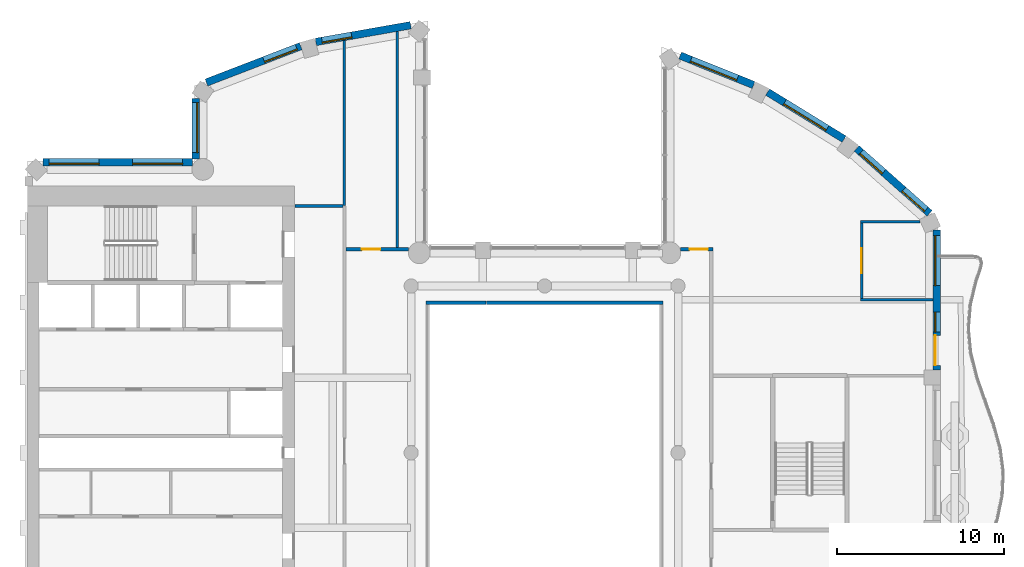
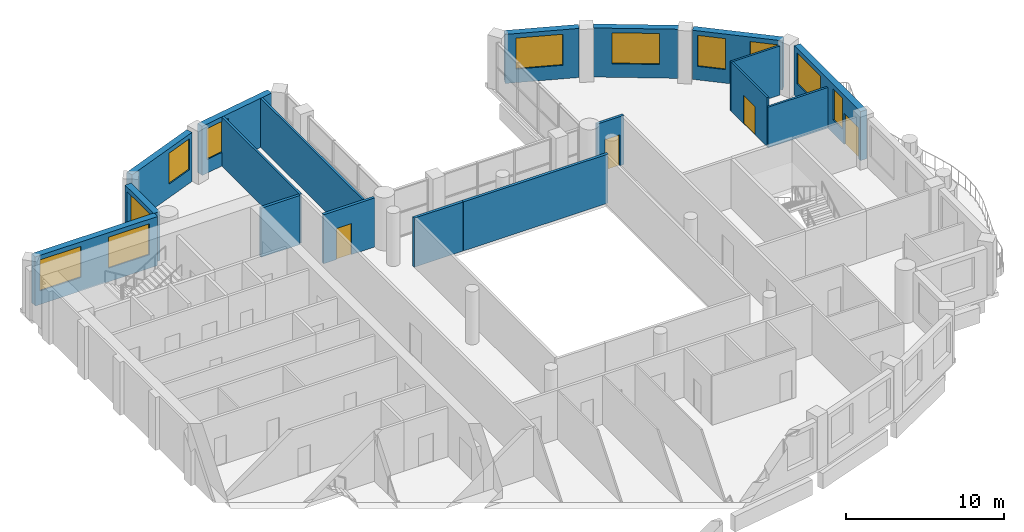
# One storey, part 7 of 14: 18 walls, 11 windows, 4 doors, 15 openings.
"""IFC4 building model written with IfcOpenShell, lengths in metres."""

from ifc_helpers import new_model, si_unit, direction, frame, frame_2d, origin, place, context, subcontext, project, spatial, rectangle, extrude, material, layer, layer_set, type_object, element, fill, save


model = new_model("IFC4")

# Units and contexts
model_context = context("Model", 3, precision=1e-05, world=origin(), true_north=direction((0.0, 1.0)))
body_context = subcontext(model_context, "Body", "Model", "MODEL_VIEW")
ifc_project = project(units=[si_unit("LENGTHUNIT", "METRE"), si_unit("AREAUNIT", "SQUARE_METRE"), si_unit("VOLUMEUNIT", "CUBIC_METRE"), si_unit("PLANEANGLEUNIT", "RADIAN"), si_unit("MASSUNIT", "GRAM", prefix="KILO")], contexts=[model_context])

# Site, building, storey
site_placement = place(None, origin())
site = spatial("IfcSite", under=ifc_project, at=site_placement, CompositionType="ELEMENT")
building_placement = place(site_placement, origin())
building = spatial("IfcBuilding", under=site, at=building_placement, Name="Cypress Arch Tower", CompositionType="ELEMENT")
storey_placement = place(building_placement, frame((0.0, 0.0, 284.39990234375)))
storey = spatial("IfcBuildingStorey", under=building, at=storey_placement, Name="L64", CompositionType="ELEMENT", Elevation=284.39990234375)

# Wall, opening, window
ifc_material_1 = material(Name="Brick (red buff blend)", Category="masonry")
ifc_layer_1 = layer(ifc_material_1, 0.449951171875)
ifc_layer_set_1 = layer_set([ifc_layer_1], Name="Brick pier and spandrel wall BW450")
wall_type_1 = type_object("IfcWallType", Name="Brick pier and spandrel wall BW450", PredefinedType="SOLIDWALL", material=ifc_layer_set_1)
wall_1_placement = place(storey_placement, frame((-7.028564453125, 25.63232421875, 0.0), z_axis=(0.0, 0.0, 1.0), x_axis=(-0.984797606634, -0.173705710808, 0.0)))
wall_1 = element("IfcWall", 1, at=wall_1_placement, inside=storey, type_object=wall_type_1, Name="Brick wall L64 C03.0", PredefinedType="SOLIDWALL", context=body_context, shape_type="SweptSolid", body=[
    extrude(rectangle(XDim=5.772216796875, YDim=0.449951171875, at=frame_2d((2.88623046875, 0.0))), origin(), (0.0, 0.0, 1.0), 3.800048828125),
])
opening_1_placement = place(wall_1_placement, frame((3.59326171875, 0.0, 1.050048828125)))
opening_1 = element("IfcOpeningElement", 2, at=opening_1_placement, cuts=wall_1, Name="Opening W180O", PredefinedType="OPENING", context=body_context, shape_type="SweptSolid", body=[
    extrude(rectangle(XDim=1.800048828125, YDim=2.39990234375, at=frame_2d((0.89990234375, 1.199951171875))), frame((0.0, 0.23486328125, 0.0), z_axis=(0.0, -1.0, 0.0), x_axis=(1.0, 0.0, 0.0)), (0.0, 0.0, 1.0), 0.469970703125),
])
ifc_material_2 = material(Name="Anodised aluminium, bronze finish, clear low-emissivity double glazing", Category="aluminium")
window_type_1 = type_object("IfcWindowType", Name="Window Office 1800x2400", PartitioningType="SINGLE_PANEL", PredefinedType="WINDOW", material=ifc_material_2)
window_1_placement = place(opening_1_placement, origin())
window_1 = element("IfcWindow", 3, at=window_1_placement, inside=storey, type_object=window_type_1, Name="Window L64 C03.0.2", OverallHeight=2.39990234375, OverallWidth=1.800048828125, PartitioningType="SINGLE_PANEL", PredefinedType="WINDOW", context=body_context, shape_type="SweptSolid", body=[
    extrude(rectangle(XDim=1.800048828125, YDim=2.39990234375, at=frame_2d((0.89990234375, 1.199951171875))), frame((0.0, 0.135009765625, 0.0), z_axis=(0.0, -1.0, 0.0), x_axis=(1.0, 0.0, 0.0)), (0.0, 0.0, 1.0), 0.06005859375),
])
fill(opening_1, window_1)

wall_2_placement = place(storey_placement, frame((-13.6220703125, 24.376953125, 0.0), z_axis=(0.0, 0.0, 1.0), x_axis=(-0.933129259679, -0.359541075164, 0.0)))
wall_2 = element("IfcWall", 4, at=wall_2_placement, inside=storey, type_object=wall_type_1, Name="Brick wall L64 C04.0", PredefinedType="SOLIDWALL", context=body_context, shape_type="SweptSolid", body=[
    extrude(rectangle(XDim=6.05419921875, YDim=0.449951171875, at=frame_2d((3.027099609375, 0.0))), origin(), (0.0, 0.0, 1.0), 3.800048828125),
])
opening_2_placement = place(wall_2_placement, frame((0.260986328125, 0.0, 1.050048828125)))
opening_2 = element("IfcOpeningElement", 5, at=opening_2_placement, cuts=wall_2, Name="Opening W210O", PredefinedType="OPENING", context=body_context, shape_type="SweptSolid", body=[
    extrude(rectangle(XDim=2.10009765625, YDim=2.39990234375, at=frame_2d((1.050048828125, 1.199951171875))), frame((0.0, 0.23486328125, 0.0), z_axis=(0.0, -1.0, 0.0), x_axis=(1.0, 0.0, 0.0)), (0.0, 0.0, 1.0), 0.469970703125),
])
ifc_material_3 = material(Name="Anodised aluminium, bronze finish, clear low-emissivity double glazing", Category="aluminium")
window_type_2 = type_object("IfcWindowType", Name="Window Office 2100x2400", PartitioningType="SINGLE_PANEL", PredefinedType="WINDOW", material=ifc_material_3)
window_2_placement = place(opening_2_placement, origin())
window_2 = element("IfcWindow", 6, at=window_2_placement, inside=storey, type_object=window_type_2, Name="Window L64 C04.0.1", OverallHeight=2.39990234375, OverallWidth=2.10009765625, PartitioningType="SINGLE_PANEL", PredefinedType="WINDOW", context=body_context, shape_type="SweptSolid", body=[
    extrude(rectangle(XDim=2.10009765625, YDim=2.39990234375, at=frame_2d((1.050048828125, 1.199951171875))), frame((0.0, 0.135009765625, 0.0), z_axis=(0.0, -1.0, 0.0), x_axis=(1.0, 0.0, 0.0)), (0.0, 0.0, 1.0), 0.06005859375),
])
fill(opening_2, window_2)

wall_3_placement = place(storey_placement, frame((-19.925048828125, 21.248291015625, 0.0), z_axis=(0.0, 0.0, 1.0), x_axis=(0.0, -1.0, 0.0)))
wall_3 = element("IfcWall", 7, at=wall_3_placement, inside=storey, type_object=wall_type_1, Name="Brick wall L64 C05.0", PredefinedType="SOLIDWALL", context=body_context, shape_type="SweptSolid", body=[
    extrude(rectangle(XDim=3.646728515625, YDim=0.449951171875, at=frame_2d((1.8232421875, 0.0))), origin(), (0.0, 0.0, 1.0), 3.800048828125),
])
opening_3_placement = place(wall_3_placement, frame((0.251220703125, 0.0, 1.050048828125)))
opening_3 = element("IfcOpeningElement", 8, at=opening_3_placement, cuts=wall_3, Name="Opening W300O", PredefinedType="OPENING", context=body_context, shape_type="SweptSolid", body=[
    extrude(rectangle(XDim=3.0, YDim=2.39990234375, at=frame_2d((1.5, 1.199951171875))), frame((0.0, 0.23486328125, 0.0), z_axis=(0.0, -1.0, 0.0), x_axis=(1.0, 0.0, 0.0)), (0.0, 0.0, 1.0), 0.469970703125),
])
ifc_material_4 = material(Name="Anodised aluminium, bronze finish, clear low-emissivity double glazing", Category="aluminium")
window_type_3 = type_object("IfcWindowType", Name="Window Office 3000x2400", PartitioningType="SINGLE_PANEL", PredefinedType="WINDOW", material=ifc_material_4)
window_3_placement = place(opening_3_placement, origin())
window_3 = element("IfcWindow", 9, at=window_3_placement, inside=storey, type_object=window_type_3, Name="Window L64 C05.0.1", OverallHeight=2.39990234375, OverallWidth=3.0, PartitioningType="SINGLE_PANEL", PredefinedType="WINDOW", context=body_context, shape_type="SweptSolid", body=[
    extrude(rectangle(XDim=3.0, YDim=2.39990234375, at=frame_2d((1.5, 1.199951171875))), frame((0.0, 0.135009765625, 0.0), z_axis=(0.0, -1.0, 0.0), x_axis=(1.0, 0.0, 0.0)), (0.0, 0.0, 1.0), 0.06005859375),
])
fill(opening_3, window_3)

# Wall, openings, windows
wall_4_placement = place(storey_placement, frame((-20.1015625, 17.425048828125, 0.0), z_axis=(0.0, 0.0, 1.0), x_axis=(-1.0, 0.0, 0.0)))
wall_4 = element("IfcWall", 10, at=wall_4_placement, inside=storey, type_object=wall_type_1, Name="Brick wall L64 C06.0", PredefinedType="SOLIDWALL", context=body_context, shape_type="SweptSolid", body=[
    extrude(rectangle(XDim=8.962158203125, YDim=0.449951171875, at=frame_2d((4.48095703125, 0.0))), origin(), (0.0, 0.0, 1.0), 3.800048828125),
])
opening_4_placement = place(wall_4_placement, frame((0.598388671875, 0.0, 1.050048828125)))
opening_4 = element("IfcOpeningElement", 11, at=opening_4_placement, cuts=wall_4, Name="Opening W300O", PredefinedType="OPENING", context=body_context, shape_type="SweptSolid", body=[
    extrude(rectangle(XDim=3.0, YDim=2.39990234375, at=frame_2d((1.5, 1.199951171875))), frame((0.0, 0.23486328125, 0.0), z_axis=(0.0, -1.0, 0.0), x_axis=(1.0, 0.0, 0.0)), (0.0, 0.0, 1.0), 0.469970703125),
])
opening_5_placement = place(wall_4_placement, frame((5.598388671875, 0.0, 1.050048828125)))
opening_5 = element("IfcOpeningElement", 12, at=opening_5_placement, cuts=wall_4, Name="Opening W300O", PredefinedType="OPENING", context=body_context, shape_type="SweptSolid", body=[
    extrude(rectangle(XDim=3.0, YDim=2.39990234375, at=frame_2d((1.5, 1.199951171875))), frame((0.0, 0.23486328125, 0.0), z_axis=(0.0, -1.0, 0.0), x_axis=(1.0, 0.0, 0.0)), (0.0, 0.0, 1.0), 0.469970703125),
])
window_4_placement = place(opening_4_placement, origin())
window_4 = element("IfcWindow", 13, at=window_4_placement, inside=storey, type_object=window_type_3, Name="Window L64 C06.0.1", OverallHeight=2.39990234375, OverallWidth=3.0, PartitioningType="SINGLE_PANEL", PredefinedType="WINDOW", context=body_context, shape_type="SweptSolid", body=[
    extrude(rectangle(XDim=3.0, YDim=2.39990234375, at=frame_2d((1.5, 1.199951171875))), frame((0.0, 0.135009765625, 0.0), z_axis=(0.0, -1.0, 0.0), x_axis=(1.0, 0.0, 0.0)), (0.0, 0.0, 1.0), 0.06005859375),
])
fill(opening_4, window_4)
window_5_placement = place(opening_5_placement, origin())
window_5 = element("IfcWindow", 14, at=window_5_placement, inside=storey, type_object=window_type_3, Name="Window L64 C06.0.2", OverallHeight=2.39990234375, OverallWidth=3.0, PartitioningType="SINGLE_PANEL", PredefinedType="WINDOW", context=body_context, shape_type="SweptSolid", body=[
    extrude(rectangle(XDim=3.0, YDim=2.39990234375, at=frame_2d((1.5, 1.199951171875))), frame((0.0, 0.135009765625, 0.0), z_axis=(0.0, -1.0, 0.0), x_axis=(1.0, 0.0, 0.0)), (0.0, 0.0, 1.0), 0.06005859375),
])
fill(opening_5, window_5)

# Wall, openings, door, windows
wall_5_placement = place(storey_placement, frame((24.52490234375, 4.949951171875, 0.0), z_axis=(0.0, 0.0, 1.0), x_axis=(0.0, 1.0, 0.0)))
wall_5 = element("IfcWall", 15, at=wall_5_placement, inside=storey, type_object=wall_type_1, Name="Brick wall L64 C17.2", PredefinedType="SOLIDWALL", context=body_context, shape_type="SweptSolid", body=[
    extrude(rectangle(XDim=8.421875, YDim=0.449951171875, at=frame_2d((4.2109375, 0.0))), origin(), (0.0, 0.0, 1.0), 3.800048828125),
])
opening_6_placement = place(wall_5_placement, frame((0.291259765625, 0.0, 0.0)))
opening_6 = element("IfcOpeningElement", 16, at=opening_6_placement, cuts=wall_5, Name="Opening D-L64-C17.2.1", PredefinedType="OPENING", context=body_context, shape_type="SweptSolid", body=[
    extrude(rectangle(XDim=1.800048828125, YDim=2.39990234375, at=frame_2d((0.89990234375, 1.199951171875))), frame((0.0, 0.23486328125, 0.0), z_axis=(0.0, -1.0, 0.0), x_axis=(1.0, 0.0, 0.0)), (0.0, 0.0, 1.0), 0.469970703125),
])
opening_7_placement = place(wall_5_placement, frame((2.291259765625, 0.0, 1.050048828125)))
opening_7 = element("IfcOpeningElement", 17, at=opening_7_placement, cuts=wall_5, Name="Opening W120OD", PredefinedType="OPENING", context=body_context, shape_type="SweptSolid", body=[
    extrude(rectangle(XDim=1.199951171875, YDim=2.39990234375, at=frame_2d((0.60009765625, 1.199951171875))), frame((0.0, 0.23486328125, 0.0), z_axis=(0.0, -1.0, 0.0), x_axis=(1.0, 0.0, 0.0)), (0.0, 0.0, 1.0), 0.469970703125),
])
opening_8_placement = place(wall_5_placement, frame((5.073974609375, 0.0, 1.050048828125)))
opening_8 = element("IfcOpeningElement", 18, at=opening_8_placement, cuts=wall_5, Name="Opening W300OD", PredefinedType="OPENING", context=body_context, shape_type="SweptSolid", body=[
    extrude(rectangle(XDim=3.0, YDim=2.39990234375, at=frame_2d((1.5, 1.199951171875))), frame((0.0, 0.23486328125, 0.0), z_axis=(0.0, -1.0, 0.0), x_axis=(1.0, 0.0, 0.0)), (0.0, 0.0, 1.0), 0.469970703125),
])
ifc_material_5 = material(Name="Anodised aluminium, bronze finish, laminated low-emissivity double glazing, large-missile impact rated", Category="aluminium")
door_type_1 = type_object("IfcDoorType", Name="Balcony sliding door 1800x2400", OperationType="SLIDING_TO_LEFT", PredefinedType="DOOR", material=ifc_material_5)
door_1_placement = place(opening_6_placement, origin())
door_1 = element("IfcDoor", 19, at=door_1_placement, inside=storey, type_object=door_type_1, Name="Balcony door L64 C17.2.1", OperationType="SLIDING_TO_LEFT", OverallHeight=2.39990234375, OverallWidth=1.800048828125, PredefinedType="DOOR", context=body_context, shape_type="SweptSolid", body=[
    extrude(rectangle(XDim=1.800048828125, YDim=2.39990234375, at=frame_2d((0.89990234375, 1.199951171875))), frame((0.0, 0.1298828125, 0.0), z_axis=(0.0, -1.0, 0.0), x_axis=(1.0, 0.0, 0.0)), (0.0, 0.0, 1.0), 0.050048828125),
])
fill(opening_6, door_1)
ifc_material_6 = material(Name="Anodised aluminium, bronze finish, laminated low-emissivity double glazing, large-missile impact rated", Category="aluminium")
window_type_4 = type_object("IfcWindowType", Name="Window Office 1200x2400 debris-rated", PartitioningType="SINGLE_PANEL", PredefinedType="WINDOW", material=ifc_material_6)
window_6_placement = place(opening_7_placement, origin())
window_6 = element("IfcWindow", 20, at=window_6_placement, inside=storey, type_object=window_type_4, Name="Window L64 C17.2.1", OverallHeight=2.39990234375, OverallWidth=1.199951171875, PartitioningType="SINGLE_PANEL", PredefinedType="WINDOW", context=body_context, shape_type="SweptSolid", body=[
    extrude(rectangle(XDim=1.199951171875, YDim=2.39990234375, at=frame_2d((0.60009765625, 1.199951171875))), frame((0.0, 0.135009765625, 0.0), z_axis=(0.0, -1.0, 0.0), x_axis=(1.0, 0.0, 0.0)), (0.0, 0.0, 1.0), 0.06005859375),
])
fill(opening_7, window_6)
ifc_material_7 = material(Name="Anodised aluminium, bronze finish, laminated low-emissivity double glazing, large-missile impact rated", Category="aluminium")
window_type_5 = type_object("IfcWindowType", Name="Window Office 3000x2400 debris-rated", PartitioningType="SINGLE_PANEL", PredefinedType="WINDOW", material=ifc_material_7)
window_7_placement = place(opening_8_placement, origin())
window_7 = element("IfcWindow", 21, at=window_7_placement, inside=storey, type_object=window_type_5, Name="Window L64 C17.2.2", OverallHeight=2.39990234375, OverallWidth=3.0, PartitioningType="SINGLE_PANEL", PredefinedType="WINDOW", context=body_context, shape_type="SweptSolid", body=[
    extrude(rectangle(XDim=3.0, YDim=2.39990234375, at=frame_2d((1.5, 1.199951171875))), frame((0.0, 0.135009765625, 0.0), z_axis=(0.0, -1.0, 0.0), x_axis=(1.0, 0.0, 0.0)), (0.0, 0.0, 1.0), 0.06005859375),
])
fill(opening_8, window_7)

# Wall, openings, windows
wall_6_placement = place(storey_placement, frame((24.08056640625, 14.361083984375, 0.0), z_axis=(0.0, 0.0, 1.0), x_axis=(-0.747570482973, 0.664182484704, 0.0)))
wall_6 = element("IfcWall", 22, at=wall_6_placement, inside=storey, type_object=wall_type_1, Name="Brick wall L64 C18.0", PredefinedType="SOLIDWALL", context=body_context, shape_type="SweptSolid", body=[
    extrude(rectangle(XDim=5.849609375, YDim=0.449951171875, at=frame_2d((2.9248046875, 0.0))), origin(), (0.0, 0.0, 1.0), 3.800048828125),
])
opening_9_placement = place(wall_6_placement, frame((0.305419921875, 0.0, 1.050048828125)))
opening_9 = element("IfcOpeningElement", 23, at=opening_9_placement, cuts=wall_6, Name="Opening W180O", PredefinedType="OPENING", context=body_context, shape_type="SweptSolid", body=[
    extrude(rectangle(XDim=1.800048828125, YDim=2.39990234375, at=frame_2d((0.89990234375, 1.199951171875))), frame((0.0, 0.23486328125, 0.0), z_axis=(0.0, -1.0, 0.0), x_axis=(1.0, 0.0, 0.0)), (0.0, 0.0, 1.0), 0.469970703125),
])
opening_10_placement = place(wall_6_placement, frame((3.702880859375, 0.0, 1.050048828125)))
opening_10 = element("IfcOpeningElement", 24, at=opening_10_placement, cuts=wall_6, Name="Opening W180O", PredefinedType="OPENING", context=body_context, shape_type="SweptSolid", body=[
    extrude(rectangle(XDim=1.800048828125, YDim=2.39990234375, at=frame_2d((0.89990234375, 1.199951171875))), frame((0.0, 0.23486328125, 0.0), z_axis=(0.0, -1.0, 0.0), x_axis=(1.0, 0.0, 0.0)), (0.0, 0.0, 1.0), 0.469970703125),
])
window_8_placement = place(opening_9_placement, origin())
window_8 = element("IfcWindow", 25, at=window_8_placement, inside=storey, type_object=window_type_1, Name="Window L64 C18.0.1", OverallHeight=2.39990234375, OverallWidth=1.800048828125, PartitioningType="SINGLE_PANEL", PredefinedType="WINDOW", context=body_context, shape_type="SweptSolid", body=[
    extrude(rectangle(XDim=1.800048828125, YDim=2.39990234375, at=frame_2d((0.89990234375, 1.199951171875))), frame((0.0, 0.135009765625, 0.0), z_axis=(0.0, -1.0, 0.0), x_axis=(1.0, 0.0, 0.0)), (0.0, 0.0, 1.0), 0.06005859375),
])
fill(opening_9, window_8)
window_9_placement = place(opening_10_placement, origin())
window_9 = element("IfcWindow", 26, at=window_9_placement, inside=storey, type_object=window_type_1, Name="Window L64 C18.0.2", OverallHeight=2.39990234375, OverallWidth=1.800048828125, PartitioningType="SINGLE_PANEL", PredefinedType="WINDOW", context=body_context, shape_type="SweptSolid", body=[
    extrude(rectangle(XDim=1.800048828125, YDim=2.39990234375, at=frame_2d((0.89990234375, 1.199951171875))), frame((0.0, 0.135009765625, 0.0), z_axis=(0.0, -1.0, 0.0), x_axis=(1.0, 0.0, 0.0)), (0.0, 0.0, 1.0), 0.06005859375),
])
fill(opening_10, window_9)

# Wall, opening, window
wall_7_placement = place(storey_placement, frame((18.953369140625, 18.806396484375, 0.0), z_axis=(0.0, 0.0, 1.0), x_axis=(-0.851860664503, 0.523768468193, 0.0)))
wall_7 = element("IfcWall", 27, at=wall_7_placement, inside=storey, type_object=wall_type_1, Name="Brick wall L64 C19.0", PredefinedType="SOLIDWALL", context=body_context, shape_type="SweptSolid", body=[
    extrude(rectangle(XDim=5.3837890625, YDim=0.449951171875, at=frame_2d((2.69189453125, 0.0))), origin(), (0.0, 0.0, 1.0), 3.800048828125),
])
opening_11_placement = place(wall_7_placement, frame((1.19189453125, 0.0, 1.050048828125)))
opening_11 = element("IfcOpeningElement", 28, at=opening_11_placement, cuts=wall_7, Name="Opening W300O", PredefinedType="OPENING", context=body_context, shape_type="SweptSolid", body=[
    extrude(rectangle(XDim=3.0, YDim=2.39990234375, at=frame_2d((1.5, 1.199951171875))), frame((0.0, 0.23486328125, 0.0), z_axis=(0.0, -1.0, 0.0), x_axis=(1.0, 0.0, 0.0)), (0.0, 0.0, 1.0), 0.469970703125),
])
window_10_placement = place(opening_11_placement, origin())
window_10 = element("IfcWindow", 29, at=window_10_placement, inside=storey, type_object=window_type_3, Name="Window L64 C19.0.1", OverallHeight=2.39990234375, OverallWidth=3.0, PartitioningType="SINGLE_PANEL", PredefinedType="WINDOW", context=body_context, shape_type="SweptSolid", body=[
    extrude(rectangle(XDim=3.0, YDim=2.39990234375, at=frame_2d((1.5, 1.199951171875))), frame((0.0, 0.135009765625, 0.0), z_axis=(0.0, -1.0, 0.0), x_axis=(1.0, 0.0, 0.0)), (0.0, 0.0, 1.0), 0.06005859375),
])
fill(opening_11, window_10)

wall_8_placement = place(storey_placement, frame((13.529296875, 22.04833984375, 0.0), z_axis=(0.0, 0.0, 1.0), x_axis=(-0.927957332619, 0.372686448424, 0.0)))
wall_8 = element("IfcWall", 30, at=wall_8_placement, inside=storey, type_object=wall_type_1, Name="Brick wall L64 C20.0", PredefinedType="SOLIDWALL", context=body_context, shape_type="SweptSolid", body=[
    extrude(rectangle(XDim=4.741455078125, YDim=0.449951171875, at=frame_2d((2.37060546875, 0.0))), origin(), (0.0, 0.0, 1.0), 3.800048828125),
])
opening_12_placement = place(wall_8_placement, frame((1.046630859375, 0.0, 1.050048828125)))
opening_12 = element("IfcOpeningElement", 31, at=opening_12_placement, cuts=wall_8, Name="Opening W300O", PredefinedType="OPENING", context=body_context, shape_type="SweptSolid", body=[
    extrude(rectangle(XDim=3.0, YDim=2.39990234375, at=frame_2d((1.5, 1.199951171875))), frame((0.0, 0.23486328125, 0.0), z_axis=(0.0, -1.0, 0.0), x_axis=(1.0, 0.0, 0.0)), (0.0, 0.0, 1.0), 0.469970703125),
])
window_11_placement = place(opening_12_placement, origin())
window_11 = element("IfcWindow", 32, at=window_11_placement, inside=storey, type_object=window_type_3, Name="Window L64 C20.0.1", OverallHeight=2.39990234375, OverallWidth=3.0, PartitioningType="SINGLE_PANEL", PredefinedType="WINDOW", context=body_context, shape_type="SweptSolid", body=[
    extrude(rectangle(XDim=3.0, YDim=2.39990234375, at=frame_2d((1.5, 1.199951171875))), frame((0.0, 0.135009765625, 0.0), z_axis=(0.0, -1.0, 0.0), x_axis=(1.0, 0.0, 0.0)), (0.0, 0.0, 1.0), 0.06005859375),
])
fill(opening_12, window_11)

# Wall
ifc_material_8 = material(Name="Concrete blockwork, plastered, rated", Category="masonry")
ifc_layer_2 = layer(ifc_material_8, 0.199951171875)
ifc_layer_set_2 = layer_set([ifc_layer_2], Name="Corridor wall FW200")
wall_type_2 = type_object("IfcWallType", Name="Corridor wall FW200", PredefinedType="PARTITIONING", material=ifc_layer_set_2)
wall_9_placement = place(storey_placement, frame((-13.969970703125, 14.800048828125, 0.0), z_axis=(0.0, 0.0, 1.0), x_axis=(1.0, 0.0, 0.0)))
element("IfcWall", 33, at=wall_9_placement, inside=storey, type_object=wall_type_2, Name="Corridor wall", PredefinedType="PARTITIONING", context=body_context, shape_type="SweptSolid", body=[
    extrude(rectangle(XDim=2.869873046875, YDim=0.199951171875, at=frame_2d((1.43505859375, 0.0))), origin(), (0.0, 0.0, 1.0), 3.800048828125),
])

# Wall, opening, door
wall_10_placement = place(storey_placement, frame((-10.89990234375, 12.199951171875, 0.0), z_axis=(0.0, 0.0, 1.0), x_axis=(1.0, 0.0, 0.0)))
wall_10 = element("IfcWall", 34, at=wall_10_placement, inside=storey, type_object=wall_type_2, Name="Corridor wall", PredefinedType="PARTITIONING", context=body_context, shape_type="SweptSolid", body=[
    extrude(rectangle(XDim=3.756103515625, YDim=0.199951171875, at=frame_2d((1.8779296875, 0.0))), origin(), (0.0, 0.0, 1.0), 3.800048828125),
])
opening_13_placement = place(wall_10_placement, frame((0.949951171875, 0.0, 0.0)))
opening_13 = element("IfcOpeningElement", 35, at=opening_13_placement, cuts=wall_10, Name="Opening D01", PredefinedType="OPENING", context=body_context, shape_type="SweptSolid", body=[
    extrude(rectangle(XDim=1.10009765625, YDim=2.39990234375, at=frame_2d((0.550048828125, 1.199951171875))), frame((0.0, 0.10986328125, 0.0), z_axis=(0.0, -1.0, 0.0), x_axis=(1.0, 0.0, 0.0)), (0.0, 0.0, 1.0), 0.219970703125),
])
ifc_material_9 = material(Name="Timber flush door, fire resisting, self-closing", Category="wood")
door_type_2 = type_object("IfcDoorType", Name="Unit entrance door D01 1100x2400", OperationType="SINGLE_SWING_LEFT", PredefinedType="DOOR", material=ifc_material_9)
door_2_placement = place(opening_13_placement, origin())
door_2 = element("IfcDoor", 36, at=door_2_placement, inside=storey, type_object=door_type_2, Name="Unit entrance door", OperationType="SINGLE_SWING_RIGHT", OverallHeight=2.39990234375, OverallWidth=1.10009765625, PredefinedType="DOOR", context=body_context, shape_type="SweptSolid", body=[
    extrude(rectangle(XDim=1.10009765625, YDim=2.39990234375, at=frame_2d((0.550048828125, 1.199951171875))), frame((0.0, 0.02490234375, 0.0), z_axis=(0.0, -1.0, 0.0), x_axis=(1.0, 0.0, 0.0)), (0.0, 0.0, 1.0), 0.050048828125),
])
fill(opening_13, door_2)

# Walls
wall_11_placement = place(storey_placement, frame((-6.10009765625, 9.0, 0.0), z_axis=(0.0, 0.0, 1.0), x_axis=(1.0, 0.0, 0.0)))
element("IfcWall", 37, at=wall_11_placement, inside=storey, type_object=wall_type_2, Name="Corridor wall", PredefinedType="PARTITIONING", context=body_context, shape_type="SweptSolid", body=[
    extrude(rectangle(XDim=3.580078125, YDim=0.199951171875, at=frame_2d((1.7900390625, 0.0))), origin(), (0.0, 0.0, 1.0), 3.800048828125),
])
wall_12_placement = place(storey_placement, frame((-2.47998046875, 9.0, 0.0), z_axis=(0.0, 0.0, 1.0), x_axis=(1.0, 0.0, 0.0)))
element("IfcWall", 38, at=wall_12_placement, inside=storey, type_object=wall_type_2, Name="Corridor wall", PredefinedType="PARTITIONING", context=body_context, shape_type="SweptSolid", body=[
    extrude(rectangle(XDim=10.580078125, YDim=0.199951171875, at=frame_2d((5.2900390625, 0.0))), origin(), (0.0, 0.0, 1.0), 3.800048828125),
])

# Wall, opening, door
wall_13_placement = place(storey_placement, frame((9.143798828125, 12.199951171875, 0.0), z_axis=(0.0, 0.0, 1.0), x_axis=(1.0, 0.0, 0.0)))
wall_13 = element("IfcWall", 39, at=wall_13_placement, inside=storey, type_object=wall_type_2, Name="Corridor wall", PredefinedType="PARTITIONING", context=body_context, shape_type="SweptSolid", body=[
    extrude(rectangle(XDim=1.956298828125, YDim=0.199951171875, at=frame_2d((0.97802734375, 0.0))), origin(), (0.0, 0.0, 1.0), 3.800048828125),
])
opening_14_placement = place(wall_13_placement, frame((0.550048828125, 0.0, 0.0)))
opening_14 = element("IfcOpeningElement", 40, at=opening_14_placement, cuts=wall_13, Name="Opening D01", PredefinedType="OPENING", context=body_context, shape_type="SweptSolid", body=[
    extrude(rectangle(XDim=1.10009765625, YDim=2.39990234375, at=frame_2d((0.550048828125, 1.199951171875))), frame((0.0, 0.10986328125, 0.0), z_axis=(0.0, -1.0, 0.0), x_axis=(1.0, 0.0, 0.0)), (0.0, 0.0, 1.0), 0.219970703125),
])
door_3_placement = place(opening_14_placement, origin())
door_3 = element("IfcDoor", 41, at=door_3_placement, inside=storey, type_object=door_type_2, Name="Unit entrance door", OperationType="SINGLE_SWING_LEFT", OverallHeight=2.39990234375, OverallWidth=1.10009765625, PredefinedType="DOOR", context=body_context, shape_type="SweptSolid", body=[
    extrude(rectangle(XDim=1.10009765625, YDim=2.39990234375, at=frame_2d((0.550048828125, 1.199951171875))), frame((0.0, 0.02490234375, 0.0), z_axis=(0.0, -1.0, 0.0), x_axis=(1.0, 0.0, 0.0)), (0.0, 0.0, 1.0), 0.050048828125),
])
fill(opening_14, door_3)

# Walls
ifc_material_10 = material(Name="Blockwork, plastered both sides", Category="masonry")
ifc_layer_3 = layer(ifc_material_10, 0.14990234375)
ifc_layer_set_3 = layer_set([ifc_layer_3], Name="Partition PW150")
wall_type_3 = type_object("IfcWallType", Name="Partition PW150", PredefinedType="PARTITIONING", material=ifc_layer_set_3)
wall_14_placement = place(storey_placement, frame((-11.0, 14.820068359375, 0.0), z_axis=(0.0, 0.0, 1.0), x_axis=(0.0, 1.0, 0.0)))
element("IfcWall", 42, at=wall_14_placement, inside=storey, type_object=wall_type_3, Name="Partition", PredefinedType="PARTITIONING", context=body_context, shape_type="SweptSolid", body=[
    extrude(rectangle(XDim=9.88330078125, YDim=0.14990234375, at=frame_2d((4.941650390625, 0.0))), origin(), (0.0, 0.0, 1.0), 3.800048828125),
])
wall_15_placement = place(storey_placement, frame((-7.830810546875, 12.320068359375, 0.0), z_axis=(0.0, 0.0, 1.0), x_axis=(0.0, 1.0, 0.0)))
element("IfcWall", 43, at=wall_15_placement, inside=storey, type_object=wall_type_3, Name="Partition", PredefinedType="PARTITIONING", context=body_context, shape_type="SweptSolid", body=[
    extrude(rectangle(XDim=12.9423828125, YDim=0.14990234375, at=frame_2d((6.47119140625, 0.0))), origin(), (0.0, 0.0, 1.0), 3.800048828125),
])

# Wall, opening, door
wall_16_placement = place(storey_placement, frame((20.0, 9.258056640625, 0.0), z_axis=(0.0, 0.0, 1.0), x_axis=(0.0, 1.0, 0.0)))
wall_16 = element("IfcWall", 44, at=wall_16_placement, inside=storey, type_object=wall_type_3, Name="Partition", PredefinedType="PARTITIONING", context=body_context, shape_type="SweptSolid", body=[
    extrude(rectangle(XDim=4.531982421875, YDim=0.14990234375, at=frame_2d((2.26611328125, 0.0))), origin(), (0.0, 0.0, 1.0), 3.800048828125),
])
opening_15_placement = place(wall_16_placement, frame((1.5, 0.0, 0.0)))
opening_15 = element("IfcOpeningElement", 45, at=opening_15_placement, cuts=wall_16, Name="Opening D04", PredefinedType="OPENING", context=body_context, shape_type="SweptSolid", body=[
    extrude(rectangle(XDim=1.5, YDim=2.199951171875, at=frame_2d((0.75, 1.10009765625))), frame((0.0, 0.0849609375, 0.0), z_axis=(0.0, -1.0, 0.0), x_axis=(1.0, 0.0, 0.0)), (0.0, 0.0, 1.0), 0.169921875),
])
ifc_material_11 = material(Name="Timber double door", Category="wood")
door_type_3 = type_object("IfcDoorType", Name="Double door D04 1500x2200", OperationType="DOUBLE_DOOR_SINGLE_SWING", PredefinedType="DOOR", material=ifc_material_11)
door_4_placement = place(opening_15_placement, origin())
door_4 = element("IfcDoor", 46, at=door_4_placement, inside=storey, type_object=door_type_3, Name="Double door", OperationType="DOUBLE_DOOR_SINGLE_SWING", OverallHeight=2.199951171875, OverallWidth=1.5, PredefinedType="DOOR", context=body_context, shape_type="SweptSolid", body=[
    extrude(rectangle(XDim=1.5, YDim=2.199951171875, at=frame_2d((0.75, 1.10009765625))), frame((0.0, 0.02490234375, 0.0), z_axis=(0.0, -1.0, 0.0), x_axis=(1.0, 0.0, 0.0)), (0.0, 0.0, 1.0), 0.050048828125),
])
fill(opening_15, door_4)

# Walls
wall_17_placement = place(storey_placement, frame((19.925048828125, 9.18310546875, 0.0), z_axis=(0.0, 0.0, 1.0), x_axis=(1.0, 0.0, 0.0)))
element("IfcWall", 47, at=wall_17_placement, inside=storey, type_object=wall_type_3, Name="Partition", PredefinedType="PARTITIONING", context=body_context, shape_type="SweptSolid", body=[
    extrude(rectangle(XDim=4.375, YDim=0.14990234375, at=frame_2d((2.1875, 0.0))), origin(), (0.0, 0.0, 1.0), 3.150146484375),
])
wall_18_placement = place(storey_placement, frame((19.925048828125, 13.864990234375, 0.0), z_axis=(0.0, 0.0, 1.0), x_axis=(1.0, 0.0, 0.0)))
element("IfcWall", 48, at=wall_18_placement, inside=storey, type_object=wall_type_3, Name="Partition", PredefinedType="PARTITIONING", context=body_context, shape_type="SweptSolid", body=[
    extrude(rectangle(XDim=3.568115234375, YDim=0.14990234375, at=frame_2d((1.7841796875, 0.0))), origin(), (0.0, 0.0, 1.0), 3.800048828125),
])

save(model, "model.ifc")
